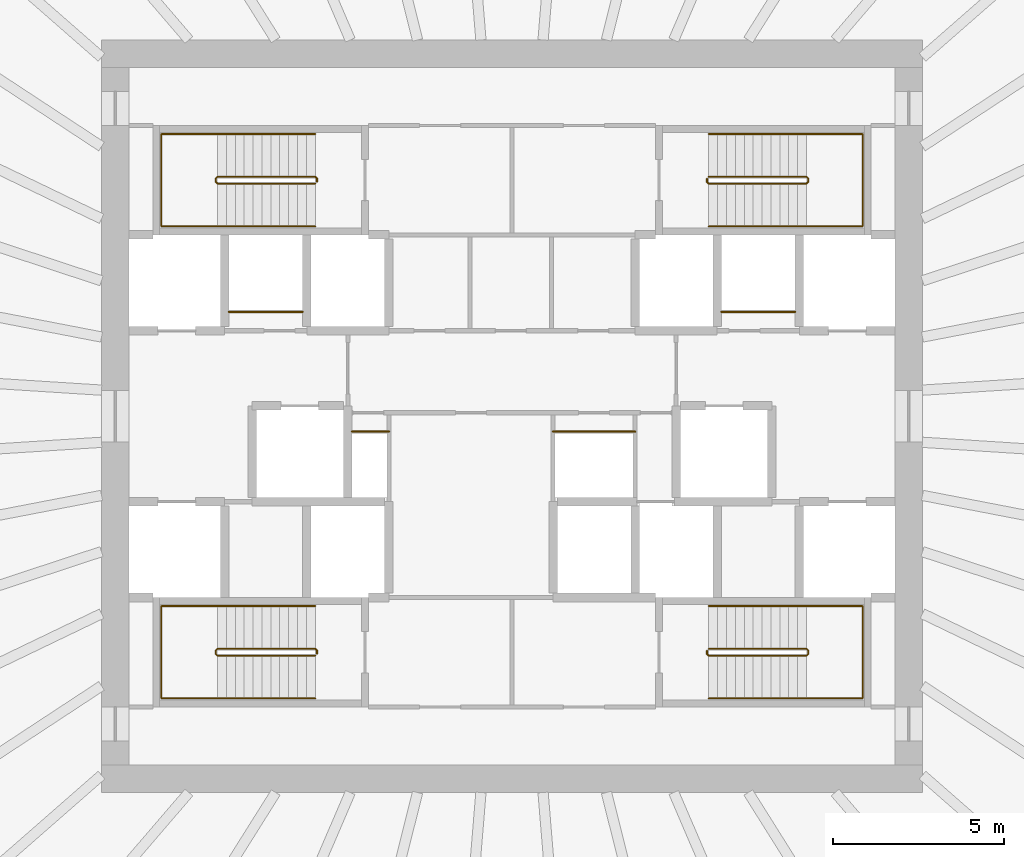
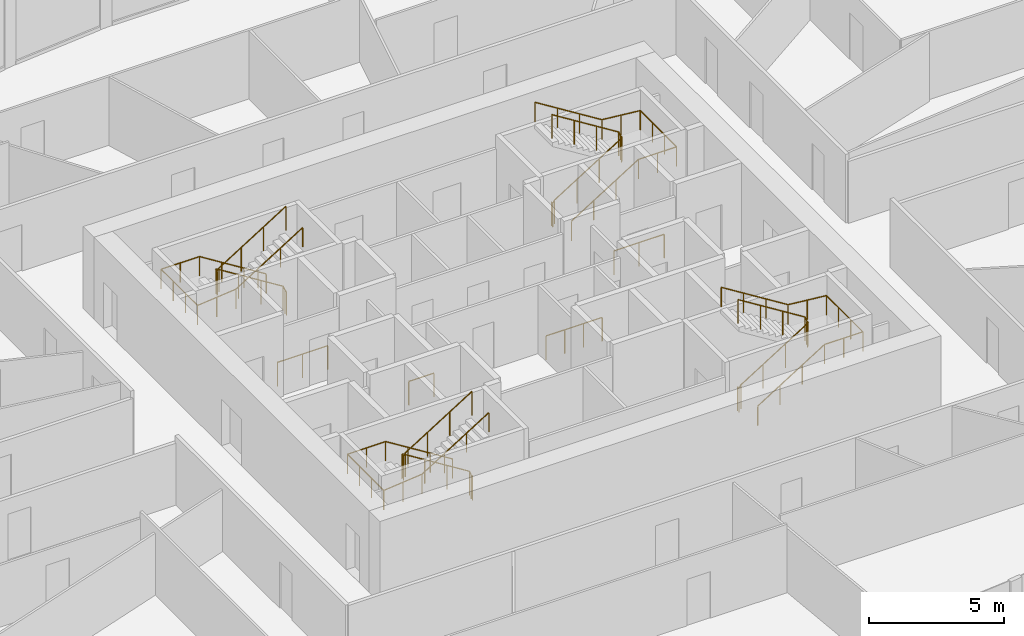
# One storey, part 11 of 11: 12 railings.
"""IFC4 building model written with IfcOpenShell, lengths in metres."""

from ifc_helpers import new_model, si_unit, direction, frame, origin, origin_2d, place, context, subcontext, project, spatial, circle, extrude, source, transform, mapped, material, type_object, element, save


model = new_model("IFC4")

# Units and contexts
model_context = context("Model", 3, precision=1e-05, world=origin(), true_north=direction((0.0, 1.0)))
body_context = subcontext(model_context, "Body", "Model", "MODEL_VIEW")
ifc_project = project(units=[si_unit("LENGTHUNIT", "METRE"), si_unit("AREAUNIT", "SQUARE_METRE"), si_unit("VOLUMEUNIT", "CUBIC_METRE"), si_unit("PLANEANGLEUNIT", "RADIAN"), si_unit("MASSUNIT", "GRAM", prefix="KILO")], contexts=[model_context])

# Site, building, storey
site_placement = place(None, origin())
site = spatial("IfcSite", under=ifc_project, at=site_placement, CompositionType="ELEMENT")
building_placement = place(site_placement, origin())
building = spatial("IfcBuilding", under=site, at=building_placement, Name="Embergate Tower", CompositionType="ELEMENT")
storey_placement = place(building_placement, frame((0.0, 0.0, 211.199951171875)))
storey = spatial("IfcBuildingStorey", under=building, at=storey_placement, Name="L48", CompositionType="ELEMENT", Elevation=211.199951171875)

# Railings
ifc_material_1 = material(Name="Stair guard 1100")
railing_type_1 = type_object("IfcRailingType", Name="Stair guard 1100", PredefinedType="GUARDRAIL", material=ifc_material_1)
shared_shape_1 = source(origin(), body_context, "Body", "SweptSolid", [
    extrude(circle(Radius=0.02392578125, at=origin_2d()), frame((0.0, 0.0, 1.076171875), z_axis=(0.0, 1.0, 0.0), x_axis=(-1.0, 0.0, 0.0)), (0.0, 0.0, 1.0), 0.099853515625),
    extrude(circle(Radius=0.02392578125, at=origin_2d()), frame((0.0, 0.099853515625, 1.076171875), z_axis=(-0.282227285176, 0.282227285176, 0.916894497205), x_axis=(-0.707106781187, -0.707106781187, 0.0)), (0.0, 0.0, 1.0), 0.17724609375),
    extrude(circle(Radius=0.02392578125, at=origin_2d()), frame((-0.050048828125, 0.14990234375, 1.23876953125), z_axis=(-0.848026770018, 0.0, 0.529953391661), x_axis=(0.0, -1.0, 0.0)), (0.0, 0.0, 1.0), 3.37255859375),
    extrude(circle(Radius=0.02392578125, at=origin_2d()), frame((-2.91015625, 0.14990234375, 3.02587890625), z_axis=(-0.705375805398, -0.708833529934, 0.0), x_axis=(0.708833529934, -0.705375805398, 0.0)), (0.0, 0.0, 1.0), 0.070556640625),
    extrude(circle(Radius=0.02392578125, at=origin_2d()), frame((-2.9599609375, 0.099853515625, 3.02587890625), z_axis=(0.0, -1.0, 0.0), x_axis=(1.0, 0.0, 0.0)), (0.0, 0.0, 1.0), 0.099853515625),
    extrude(circle(Radius=0.02392578125, at=origin_2d()), frame((-2.9599609375, 0.0, 3.02587890625), z_axis=(0.280959487676, -0.282336740067, 0.917250092119), x_axis=(0.708833529934, 0.705375805398, 0.0)), (0.0, 0.0, 1.0), 0.17724609375),
    extrude(circle(Radius=0.02392578125, at=origin_2d()), frame((-2.91015625, -0.050048828125, 3.1884765625), z_axis=(0.847994237388, 0.0, 0.530005446535), x_axis=(0.0, 1.0, 0.0)), (0.0, 0.0, 1.0), 3.372802734375),
    extrude(circle(Radius=0.02099609375, at=origin_2d()), origin(), (0.0, 0.0, 1.0), 1.052001953125),
    extrude(circle(Radius=0.02099609375, at=origin_2d()), frame((0.0, 0.099853515625, 0.0)), (0.0, 0.0, 1.0), 1.052001953125),
    extrude(circle(Radius=0.02099609375, at=origin_2d()), frame((-0.050048828125, 0.14990234375, 0.16259765625)), (0.0, 0.0, 1.0), 1.052001953125),
    extrude(circle(Radius=0.02099609375, at=origin_2d()), frame((-1.00341796875, 0.14990234375, 0.75830078125)), (0.0, 0.0, 1.0), 1.052001953125),
    extrude(circle(Radius=0.02099609375, at=origin_2d()), frame((-1.956787109375, 0.14990234375, 1.354248046875)), (0.0, 0.0, 1.0), 1.052001953125),
    extrude(circle(Radius=0.02099609375, at=origin_2d()), frame((-2.91015625, 0.14990234375, 1.949951171875)), (0.0, 0.0, 1.0), 1.052001953125),
    extrude(circle(Radius=0.02099609375, at=origin_2d()), frame((-2.9599609375, 0.099853515625, 1.949951171875)), (0.0, 0.0, 1.0), 1.052001953125),
    extrude(circle(Radius=0.02099609375, at=origin_2d()), frame((-2.9599609375, 0.0, 1.949951171875)), (0.0, 0.0, 1.0), 1.052001953125),
    extrude(circle(Radius=0.02099609375, at=origin_2d()), frame((-2.91015625, -0.050048828125, 2.112548828125)), (0.0, 0.0, 1.0), 1.052001953125),
    extrude(circle(Radius=0.02099609375, at=origin_2d()), frame((-1.956787109375, -0.050048828125, 2.70849609375)), (0.0, 0.0, 1.0), 1.052001953125),
    extrude(circle(Radius=0.02099609375, at=origin_2d()), frame((-1.00341796875, -0.050048828125, 3.30419921875)), (0.0, 0.0, 1.0), 1.052001953125),
    extrude(circle(Radius=0.02099609375, at=origin_2d()), frame((-0.050048828125, -0.050048828125, 3.900146484375)), (0.0, 0.0, 1.0), 1.052001953125),
])
for number, where, name in (
    (1, (-5.699951171875, 6.85009765625, 0.0), "L48 ST1 stair guard 1"),
    (2, (-5.699951171875, -6.949951171875, 0.0), "L48 ST3 stair guard 1"),
):
    element("IfcRailing", number, at=place(storey_placement, frame(where)), inside=storey, type_object=railing_type_1, Name=name, PredefinedType="GUARDRAIL", context=body_context, shape_type="MappedRepresentation", body=[
        mapped(shared_shape_1, transform((0.0, 0.0, 0.0))),
    ])
ifc_material_2 = material(Name="Stair handrail 900")
railing_type_2 = type_object("IfcRailingType", Name="Stair handrail 900", PredefinedType="HANDRAIL", material=ifc_material_2)
shared_shape_2 = source(origin(), body_context, "Body", "SweptSolid", [
    extrude(circle(Radius=0.02392578125, at=origin_2d()), frame((0.0, 0.0, 0.8759765625), z_axis=(-0.848026770018, 0.0, 0.529953391661), x_axis=(0.0, -1.0, 0.0)), (0.0, 0.0, 1.0), 3.37255859375),
    extrude(circle(Radius=0.02392578125, at=origin_2d()), frame((-2.860107421875, 0.0, 2.6630859375), z_axis=(-1.0, 0.0, 0.0), x_axis=(0.0, -1.0, 0.0)), (0.0, 0.0, 1.0), 1.639892578125),
    extrude(circle(Radius=0.02392578125, at=origin_2d()), frame((-4.5, 0.0, 2.6630859375), z_axis=(0.0, -1.0, 0.0), x_axis=(1.0, 0.0, 0.0)), (0.0, 0.0, 1.0), 2.699951171875),
    extrude(circle(Radius=0.02392578125, at=origin_2d()), frame((-4.5, -2.699951171875, 2.6630859375), z_axis=(0.995120448088, 0.0, 0.098667592441), x_axis=(0.0, 1.0, 0.0)), (0.0, 0.0, 1.0), 1.64794921875),
    extrude(circle(Radius=0.02392578125, at=origin_2d()), frame((-2.860107421875, -2.699951171875, 2.82568359375), z_axis=(0.847994237388, 0.0, 0.530005446535), x_axis=(0.0, 1.0, 0.0)), (0.0, 0.0, 1.0), 3.372802734375),
    extrude(circle(Radius=0.02099609375, at=origin_2d()), origin(), (0.0, 0.0, 1.0), 0.851806640625),
    extrude(circle(Radius=0.02099609375, at=origin_2d()), frame((-0.953369140625, 0.0, 0.595703125)), (0.0, 0.0, 1.0), 0.851806640625),
    extrude(circle(Radius=0.02099609375, at=origin_2d()), frame((-1.90673828125, 0.0, 1.191650390625)), (0.0, 0.0, 1.0), 0.851806640625),
    extrude(circle(Radius=0.02099609375, at=origin_2d()), frame((-2.860107421875, 0.0, 1.787353515625)), (0.0, 0.0, 1.0), 0.851806640625),
    extrude(circle(Radius=0.02099609375, at=origin_2d()), frame((-3.68017578125, 0.0, 1.787353515625)), (0.0, 0.0, 1.0), 0.851806640625),
    extrude(circle(Radius=0.02099609375, at=origin_2d()), frame((-4.5, 0.0, 1.787353515625)), (0.0, 0.0, 1.0), 0.851806640625),
    extrude(circle(Radius=0.02099609375, at=origin_2d()), frame((-4.5, -0.89990234375, 1.787353515625)), (0.0, 0.0, 1.0), 0.851806640625),
    extrude(circle(Radius=0.02099609375, at=origin_2d()), frame((-4.5, -1.800048828125, 1.787353515625)), (0.0, 0.0, 1.0), 0.851806640625),
    extrude(circle(Radius=0.02099609375, at=origin_2d()), frame((-4.5, -2.699951171875, 1.787353515625)), (0.0, 0.0, 1.0), 0.851806640625),
    extrude(circle(Radius=0.02099609375, at=origin_2d()), frame((-3.68017578125, -2.699951171875, 1.86865234375)), (0.0, 0.0, 1.0), 0.851806640625),
    extrude(circle(Radius=0.02099609375, at=origin_2d()), frame((-2.860107421875, -2.699951171875, 1.949951171875)), (0.0, 0.0, 1.0), 0.851806640625),
    extrude(circle(Radius=0.02099609375, at=origin_2d()), frame((-1.90673828125, -2.699951171875, 2.5458984375)), (0.0, 0.0, 1.0), 0.851806640625),
    extrude(circle(Radius=0.02099609375, at=origin_2d()), frame((-0.953369140625, -2.699951171875, 3.1416015625)), (0.0, 0.0, 1.0), 0.851806640625),
    extrude(circle(Radius=0.02099609375, at=origin_2d()), frame((0.0, -2.699951171875, 3.737548828125)), (0.0, 0.0, 1.0), 0.851806640625),
])
for number, where, name in (
    (3, (-5.75, 8.25, 0.16259765625), "L48 ST1 stair handrail 1"),
    (4, (-5.75, -5.550048828125, 0.16259765625), "L48 ST3 stair handrail 1"),
):
    element("IfcRailing", number, at=place(storey_placement, frame(where)), inside=storey, type_object=railing_type_2, Name=name, PredefinedType="HANDRAIL", context=body_context, shape_type="MappedRepresentation", body=[
        mapped(shared_shape_2, transform((0.0, 0.0, 0.0))),
    ])
shared_shape_3 = source(origin(), body_context, "Body", "SweptSolid", [
    extrude(circle(Radius=0.02392578125, at=origin_2d()), frame((0.0, 0.0, 1.076171875), z_axis=(0.0, -1.0, 0.0), x_axis=(1.0, 0.0, 0.0)), (0.0, 0.0, 1.0), 0.099853515625),
    extrude(circle(Radius=0.02392578125, at=origin_2d()), frame((0.0, -0.099853515625, 1.076171875), z_axis=(0.282227285176, -0.282227285176, 0.916894497205), x_axis=(0.707106781187, 0.707106781187, 0.0)), (0.0, 0.0, 1.0), 0.17724609375),
    extrude(circle(Radius=0.02392578125, at=origin_2d()), frame((0.050048828125, -0.14990234375, 1.23876953125), z_axis=(0.848026770018, 0.0, 0.529953391661), x_axis=(0.0, 1.0, 0.0)), (0.0, 0.0, 1.0), 3.37255859375),
    extrude(circle(Radius=0.02392578125, at=origin_2d()), frame((2.91015625, -0.14990234375, 3.02587890625), z_axis=(0.705375805398, 0.708833529934, 0.0), x_axis=(-0.708833529934, 0.705375805398, 0.0)), (0.0, 0.0, 1.0), 0.070556640625),
    extrude(circle(Radius=0.02392578125, at=origin_2d()), frame((2.9599609375, -0.099853515625, 3.02587890625), z_axis=(0.0, 1.0, 0.0), x_axis=(-1.0, 0.0, 0.0)), (0.0, 0.0, 1.0), 0.099853515625),
    extrude(circle(Radius=0.02392578125, at=origin_2d()), frame((2.9599609375, 0.0, 3.02587890625), z_axis=(-0.280959487676, 0.282336740067, 0.917250092119), x_axis=(-0.708833529934, -0.705375805398, 0.0)), (0.0, 0.0, 1.0), 0.17724609375),
    extrude(circle(Radius=0.02392578125, at=origin_2d()), frame((2.91015625, 0.050048828125, 3.1884765625), z_axis=(-0.847994237388, 0.0, 0.530005446535), x_axis=(0.0, -1.0, 0.0)), (0.0, 0.0, 1.0), 3.372802734375),
    extrude(circle(Radius=0.02099609375, at=origin_2d()), origin(), (0.0, 0.0, 1.0), 1.052001953125),
    extrude(circle(Radius=0.02099609375, at=origin_2d()), frame((0.0, -0.099853515625, 0.0)), (0.0, 0.0, 1.0), 1.052001953125),
    extrude(circle(Radius=0.02099609375, at=origin_2d()), frame((0.050048828125, -0.14990234375, 0.16259765625)), (0.0, 0.0, 1.0), 1.052001953125),
    extrude(circle(Radius=0.02099609375, at=origin_2d()), frame((1.00341796875, -0.14990234375, 0.75830078125)), (0.0, 0.0, 1.0), 1.052001953125),
    extrude(circle(Radius=0.02099609375, at=origin_2d()), frame((1.956787109375, -0.14990234375, 1.354248046875)), (0.0, 0.0, 1.0), 1.052001953125),
    extrude(circle(Radius=0.02099609375, at=origin_2d()), frame((2.91015625, -0.14990234375, 1.949951171875)), (0.0, 0.0, 1.0), 1.052001953125),
    extrude(circle(Radius=0.02099609375, at=origin_2d()), frame((2.9599609375, -0.099853515625, 1.949951171875)), (0.0, 0.0, 1.0), 1.052001953125),
    extrude(circle(Radius=0.02099609375, at=origin_2d()), frame((2.9599609375, 0.0, 1.949951171875)), (0.0, 0.0, 1.0), 1.052001953125),
    extrude(circle(Radius=0.02099609375, at=origin_2d()), frame((2.91015625, 0.050048828125, 2.112548828125)), (0.0, 0.0, 1.0), 1.052001953125),
    extrude(circle(Radius=0.02099609375, at=origin_2d()), frame((1.956787109375, 0.050048828125, 2.70849609375)), (0.0, 0.0, 1.0), 1.052001953125),
    extrude(circle(Radius=0.02099609375, at=origin_2d()), frame((1.00341796875, 0.050048828125, 3.30419921875)), (0.0, 0.0, 1.0), 1.052001953125),
    extrude(circle(Radius=0.02099609375, at=origin_2d()), frame((0.050048828125, 0.050048828125, 3.900146484375)), (0.0, 0.0, 1.0), 1.052001953125),
])
for number, where, name in (
    (5, (5.699951171875, 6.949951171875, 0.0), "L48 ST2 stair guard 1"),
    (6, (5.699951171875, -6.85009765625, 0.0), "L48 ST4 stair guard 1"),
):
    element("IfcRailing", number, at=place(storey_placement, frame(where)), inside=storey, type_object=railing_type_1, Name=name, PredefinedType="GUARDRAIL", context=body_context, shape_type="MappedRepresentation", body=[
        mapped(shared_shape_3, transform((0.0, 0.0, 0.0))),
    ])
shared_shape_4 = source(origin(), body_context, "Body", "SweptSolid", [
    extrude(circle(Radius=0.02392578125, at=origin_2d()), frame((0.0, 0.0, 0.8759765625), z_axis=(0.848026770018, 0.0, 0.529953391661), x_axis=(0.0, 1.0, 0.0)), (0.0, 0.0, 1.0), 3.37255859375),
    extrude(circle(Radius=0.02392578125, at=origin_2d()), frame((2.860107421875, 0.0, 2.6630859375), z_axis=(1.0, 0.0, 0.0), x_axis=(0.0, 1.0, 0.0)), (0.0, 0.0, 1.0), 1.639892578125),
    extrude(circle(Radius=0.02392578125, at=origin_2d()), frame((4.5, 0.0, 2.6630859375), z_axis=(0.0, 1.0, 0.0), x_axis=(-1.0, 0.0, 0.0)), (0.0, 0.0, 1.0), 2.699951171875),
    extrude(circle(Radius=0.02392578125, at=origin_2d()), frame((4.5, 2.699951171875, 2.6630859375), z_axis=(-0.995120448088, 0.0, 0.098667592441), x_axis=(0.0, -1.0, 0.0)), (0.0, 0.0, 1.0), 1.64794921875),
    extrude(circle(Radius=0.02392578125, at=origin_2d()), frame((2.860107421875, 2.699951171875, 2.82568359375), z_axis=(-0.847994237388, 0.0, 0.530005446535), x_axis=(0.0, -1.0, 0.0)), (0.0, 0.0, 1.0), 3.372802734375),
    extrude(circle(Radius=0.02099609375, at=origin_2d()), origin(), (0.0, 0.0, 1.0), 0.851806640625),
    extrude(circle(Radius=0.02099609375, at=origin_2d()), frame((0.953369140625, 0.0, 0.595703125)), (0.0, 0.0, 1.0), 0.851806640625),
    extrude(circle(Radius=0.02099609375, at=origin_2d()), frame((1.90673828125, 0.0, 1.191650390625)), (0.0, 0.0, 1.0), 0.851806640625),
    extrude(circle(Radius=0.02099609375, at=origin_2d()), frame((2.860107421875, 0.0, 1.787353515625)), (0.0, 0.0, 1.0), 0.851806640625),
    extrude(circle(Radius=0.02099609375, at=origin_2d()), frame((3.68017578125, 0.0, 1.787353515625)), (0.0, 0.0, 1.0), 0.851806640625),
    extrude(circle(Radius=0.02099609375, at=origin_2d()), frame((4.5, 0.0, 1.787353515625)), (0.0, 0.0, 1.0), 0.851806640625),
    extrude(circle(Radius=0.02099609375, at=origin_2d()), frame((4.5, 0.89990234375, 1.787353515625)), (0.0, 0.0, 1.0), 0.851806640625),
    extrude(circle(Radius=0.02099609375, at=origin_2d()), frame((4.5, 1.800048828125, 1.787353515625)), (0.0, 0.0, 1.0), 0.851806640625),
    extrude(circle(Radius=0.02099609375, at=origin_2d()), frame((4.5, 2.699951171875, 1.787353515625)), (0.0, 0.0, 1.0), 0.851806640625),
    extrude(circle(Radius=0.02099609375, at=origin_2d()), frame((3.68017578125, 2.699951171875, 1.86865234375)), (0.0, 0.0, 1.0), 0.851806640625),
    extrude(circle(Radius=0.02099609375, at=origin_2d()), frame((2.860107421875, 2.699951171875, 1.949951171875)), (0.0, 0.0, 1.0), 0.851806640625),
    extrude(circle(Radius=0.02099609375, at=origin_2d()), frame((1.90673828125, 2.699951171875, 2.5458984375)), (0.0, 0.0, 1.0), 0.851806640625),
    extrude(circle(Radius=0.02099609375, at=origin_2d()), frame((0.953369140625, 2.699951171875, 3.1416015625)), (0.0, 0.0, 1.0), 0.851806640625),
    extrude(circle(Radius=0.02099609375, at=origin_2d()), frame((0.0, 2.699951171875, 3.737548828125)), (0.0, 0.0, 1.0), 0.851806640625),
])
for number, where, name in (
    (7, (5.75, 5.550048828125, 0.16259765625), "L48 ST2 stair handrail 1"),
    (8, (5.75, -8.25, 0.16259765625), "L48 ST4 stair handrail 1"),
):
    element("IfcRailing", number, at=place(storey_placement, frame(where)), inside=storey, type_object=railing_type_2, Name=name, PredefinedType="HANDRAIL", context=body_context, shape_type="MappedRepresentation", body=[
        mapped(shared_shape_4, transform((0.0, 0.0, 0.0))),
    ])
ifc_material_3 = material(Name="Opening guard 1100")
railing_type_3 = type_object("IfcRailingType", Name="Opening guard 1100", PredefinedType="GUARDRAIL", material=ifc_material_3)
shared_shape_5 = source(origin(), body_context, "Body", "SweptSolid", [
    extrude(circle(Radius=0.02392578125, at=origin_2d()), frame((0.0, 0.0, 1.076171875), z_axis=(1.0, 0.0, 0.0), x_axis=(0.0, 1.0, 0.0)), (0.0, 0.0, 1.0), 2.14990234375),
    extrude(circle(Radius=0.02099609375, at=origin_2d()), origin(), (0.0, 0.0, 1.0), 1.052001953125),
    extrude(circle(Radius=0.02099609375, at=origin_2d()), frame((1.074951171875, 0.0, 0.0)), (0.0, 0.0, 1.0), 1.052001953125),
    extrude(circle(Radius=0.02099609375, at=origin_2d()), frame((2.14990234375, 0.0, 0.0)), (0.0, 0.0, 1.0), 1.052001953125),
])
for number, where, name in (
    (9, (-8.27490234375, 3.050048828125, 0.0), "Riser opening guard"),
    (10, (6.125, 3.050048828125, 0.0), "Riser opening guard"),
):
    element("IfcRailing", number, at=place(storey_placement, frame(where)), inside=storey, type_object=railing_type_3, Name=name, PredefinedType="GUARDRAIL", context=body_context, shape_type="MappedRepresentation", body=[
        mapped(shared_shape_5, transform((0.0, 0.0, 0.0))),
    ])
shared_shape_6 = source(origin(), body_context, "Body", "SweptSolid", [
    extrude(circle(Radius=0.02392578125, at=origin_2d()), frame((0.0, 0.0, 1.076171875), z_axis=(1.0, 0.0, 0.0), x_axis=(0.0, 1.0, 0.0)), (0.0, 0.0, 1.0), 1.074951171875),
    extrude(circle(Radius=0.02099609375, at=origin_2d()), origin(), (0.0, 0.0, 1.0), 1.052001953125),
    extrude(circle(Radius=0.02099609375, at=origin_2d()), frame((1.074951171875, 0.0, 0.0)), (0.0, 0.0, 1.0), 1.052001953125),
])
railing_1_placement = place(storey_placement, frame((-4.675048828125, -0.449951171875, 0.0)))
element("IfcRailing", 11, at=railing_1_placement, inside=storey, type_object=railing_type_3, Name="Riser opening guard", PredefinedType="GUARDRAIL", context=body_context, shape_type="MappedRepresentation", body=[
    mapped(shared_shape_6, transform((0.0, 0.0, 0.0))),
])
shared_shape_7 = source(origin(), body_context, "Body", "SweptSolid", [
    extrude(circle(Radius=0.02392578125, at=origin_2d()), frame((0.0, 0.0, 1.076171875), z_axis=(1.0, 0.0, 0.0), x_axis=(0.0, 1.0, 0.0)), (0.0, 0.0, 1.0), 2.400146484375),
    extrude(circle(Radius=0.02099609375, at=origin_2d()), origin(), (0.0, 0.0, 1.0), 1.052001953125),
    extrude(circle(Radius=0.02099609375, at=origin_2d()), frame((0.800048828125, 0.0, 0.0)), (0.0, 0.0, 1.0), 1.052001953125),
    extrude(circle(Radius=0.02099609375, at=origin_2d()), frame((1.60009765625, 0.0, 0.0)), (0.0, 0.0, 1.0), 1.052001953125),
    extrude(circle(Radius=0.02099609375, at=origin_2d()), frame((2.400146484375, 0.0, 0.0)), (0.0, 0.0, 1.0), 1.052001953125),
])
railing_2_placement = place(storey_placement, frame((1.199951171875, -0.449951171875, 0.0)))
element("IfcRailing", 12, at=railing_2_placement, inside=storey, type_object=railing_type_3, Name="Riser opening guard", PredefinedType="GUARDRAIL", context=body_context, shape_type="MappedRepresentation", body=[
    mapped(shared_shape_7, transform((0.0, 0.0, 0.0))),
])

save(model, "model.ifc")
